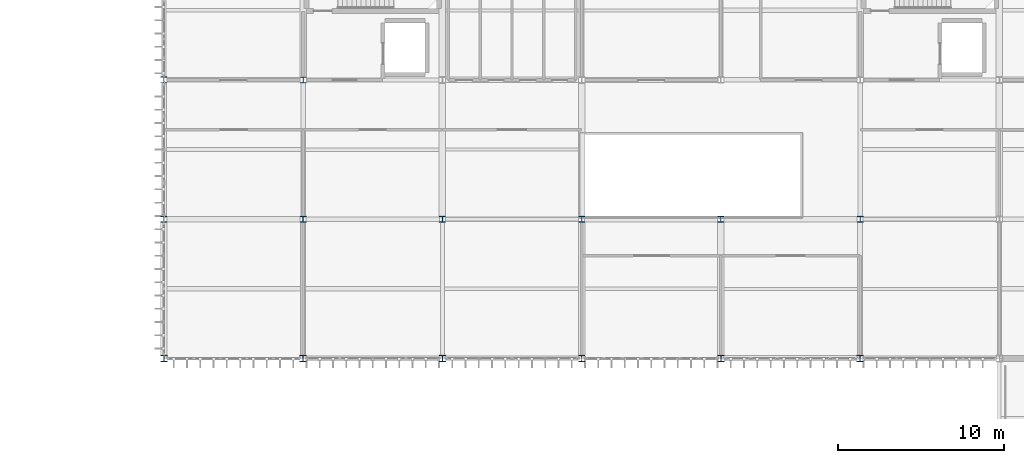
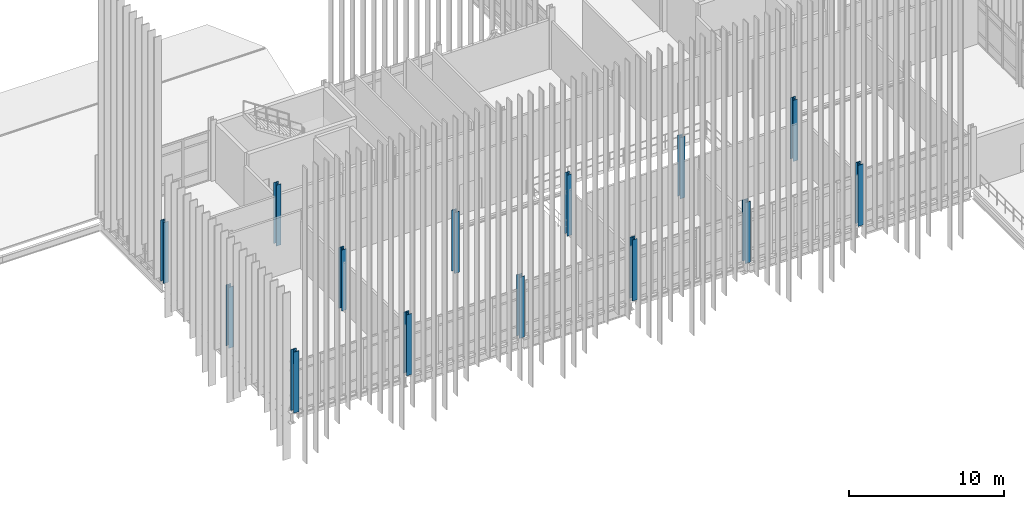
# One storey, part 1 of 153: 14 columns.
"""IFC4 building model written with IfcOpenShell, lengths in metres."""

from ifc_helpers import new_model, si_unit, direction, frame, origin, origin_2d, place, context, subcontext, project, spatial, i_section, extrude, material, material_profile, profile_set, type_object, element, save


model = new_model("IFC4")

# Units and contexts
model_context = context("Model", 3, precision=1e-05, world=origin(), true_north=direction((0.0, 1.0)))
body_context = subcontext(model_context, "Body", "Model", "MODEL_VIEW")
ifc_project = project(units=[si_unit("LENGTHUNIT", "METRE"), si_unit("AREAUNIT", "SQUARE_METRE"), si_unit("VOLUMEUNIT", "CUBIC_METRE"), si_unit("PLANEANGLEUNIT", "RADIAN"), si_unit("MASSUNIT", "GRAM", prefix="KILO")], contexts=[model_context])

# Site, building, storey
site_placement = place(None, origin())
site = spatial("IfcSite", under=ifc_project, at=site_placement, CompositionType="ELEMENT")
building_placement = place(site_placement, origin())
building = spatial("IfcBuilding", under=site, at=building_placement, Name="Calvrana Isthmian Art Gallery", CompositionType="ELEMENT")
storey_placement = place(building_placement, frame((0.0, 0.0, 10.199951171875)))
storey = spatial("IfcBuildingStorey", under=building, at=storey_placement, Name="L02", CompositionType="ELEMENT", Elevation=10.199951171875)

# Columns
ifc_material = material(Name="Steel ASTM A992 Gr 50", Category="steel")
ifc_material_profile_1 = material_profile(ifc_material, i_section(OverallWidth=0.37109375, OverallDepth=0.363037109375, WebThickness=0.01318359375, FlangeThickness=0.021728515625, FilletRadius=0.02490234375, at=origin_2d()), Name="W14X109")
ifc_profile_set_1 = profile_set([ifc_material_profile_1], Name="Steel ASTM A992 Gr 50")
column_type_1 = type_object("IfcColumnType", Name="COL-STL-W14X109", PredefinedType="COLUMN", material=ifc_profile_set_1)
for number, where, z_axis, x_axis, name in (
    (1, (21.60009765625, 38.39990234375, 0.0), (0.0, 0.0, 1.0), (1.0, 0.0, 0.0), "Column 04/F L02"),
    (2, (46.800048828125, 30.0, 0.0), (0.0, 0.0, 1.0), (1.0, 0.0, 0.0), "Column 07/E L02"),
):
    element("IfcColumn", number, at=place(storey_placement, frame(where, z_axis=z_axis, x_axis=x_axis)), inside=storey, type_object=column_type_1, Name=name, PredefinedType="COLUMN", context=body_context, shape_type="SweptSolid", body=[
        extrude(i_section(OverallWidth=0.37109375, OverallDepth=0.363037109375, WebThickness=0.01318359375, FlangeThickness=0.021728515625, FilletRadius=0.02490234375, at=origin_2d()), origin(), (0.0, 0.0, 1.0), 4.800048828125),
    ])
ifc_material_profile_2 = material_profile(ifc_material, i_section(OverallWidth=0.373046875, OverallDepth=0.367919921875, WebThickness=0.014892578125, FlangeThickness=0.02392578125, FilletRadius=0.02490234375, at=origin_2d()), Name="W14X120")
ifc_profile_set_2 = profile_set([ifc_material_profile_2], Name="Steel ASTM A992 Gr 50")
column_type_2 = type_object("IfcColumnType", Name="COL-STL-W14X120", PredefinedType="COLUMN", material=ifc_profile_set_2)
column_1_placement = place(storey_placement, frame((38.39990234375, 30.0, 0.0), z_axis=(0.0, 0.0, 1.0), x_axis=(1.0, 0.0, 0.0)))
element("IfcColumn", 3, at=column_1_placement, inside=storey, type_object=column_type_2, Name="Column 06/E L02", PredefinedType="COLUMN", context=body_context, shape_type="SweptSolid", body=[
    extrude(i_section(OverallWidth=0.373046875, OverallDepth=0.367919921875, WebThickness=0.014892578125, FlangeThickness=0.02392578125, FilletRadius=0.02490234375, at=origin_2d()), origin(), (0.0, 0.0, 1.0), 4.800048828125),
])
ifc_material_profile_3 = material_profile(ifc_material, i_section(OverallWidth=0.373046875, OverallDepth=0.373046875, WebThickness=0.016357421875, FlangeThickness=0.026123046875, FilletRadius=0.02490234375, at=origin_2d()), Name="W14X132")
ifc_profile_set_3 = profile_set([ifc_material_profile_3], Name="Steel ASTM A992 Gr 50")
column_type_3 = type_object("IfcColumnType", Name="COL-STL-W14X132", PredefinedType="COLUMN", material=ifc_profile_set_3)
for number, where, z_axis, x_axis, name in (
    (4, (30.0, 30.0, 0.0), (0.0, 0.0, 1.0), (1.0, 0.0, 0.0), "Column 05/E L02"),
    (5, (46.800048828125, 21.60009765625, 0.0), (0.0, 0.0, 1.0), (1.0, 0.0, 0.0), "Column 07/D L02"),
    (6, (63.60009765625, 30.0, 0.0), (0.0, 0.0, 1.0), (1.0, 0.0, 0.0), "Column 09/E L02"),
):
    element("IfcColumn", number, at=place(storey_placement, frame(where, z_axis=z_axis, x_axis=x_axis)), inside=storey, type_object=column_type_3, Name=name, PredefinedType="COLUMN", context=body_context, shape_type="SweptSolid", body=[
        extrude(i_section(OverallWidth=0.373046875, OverallDepth=0.373046875, WebThickness=0.016357421875, FlangeThickness=0.026123046875, FilletRadius=0.02490234375, at=origin_2d()), origin(), (0.0, 0.0, 1.0), 4.800048828125),
    ])
ifc_material_profile_4 = material_profile(ifc_material, i_section(OverallWidth=0.39404296875, OverallDepth=0.3759765625, WebThickness=0.017333984375, FlangeThickness=0.027587890625, FilletRadius=0.02490234375, at=origin_2d()), Name="W14X145")
ifc_profile_set_4 = profile_set([ifc_material_profile_4], Name="Steel ASTM A992 Gr 50")
column_type_4 = type_object("IfcColumnType", Name="COL-STL-W14X145", PredefinedType="COLUMN", material=ifc_profile_set_4)
column_2_placement = place(storey_placement, frame((38.39990234375, 21.60009765625, 0.0), z_axis=(0.0, 0.0, 1.0), x_axis=(1.0, 0.0, 0.0)))
element("IfcColumn", 7, at=column_2_placement, inside=storey, type_object=column_type_4, Name="Column 06/D L02", PredefinedType="COLUMN", context=body_context, shape_type="SweptSolid", body=[
    extrude(i_section(OverallWidth=0.39404296875, OverallDepth=0.3759765625, WebThickness=0.017333984375, FlangeThickness=0.027587890625, FilletRadius=0.02490234375, at=origin_2d()), origin(), (0.0, 0.0, 1.0), 4.800048828125),
])
ifc_material_profile_5 = material_profile(ifc_material, i_section(OverallWidth=0.39599609375, OverallDepth=0.381103515625, WebThickness=0.018798828125, FlangeThickness=0.0302734375, FilletRadius=0.02490234375, at=origin_2d()), Name="W14X159")
ifc_profile_set_5 = profile_set([ifc_material_profile_5], Name="Steel ASTM A992 Gr 50")
column_type_5 = type_object("IfcColumnType", Name="COL-STL-W14X159", PredefinedType="COLUMN", material=ifc_profile_set_5)
for number, where, z_axis, x_axis, name in (
    (8, (30.0, 21.60009765625, 0.0), (0.0, 0.0, 1.0), (1.0, 0.0, 0.0), "Column 05/D L02"),
    (9, (63.60009765625, 21.60009765625, 0.0), (0.0, 0.0, 1.0), (1.0, 0.0, 0.0), "Column 09/D L02"),
):
    element("IfcColumn", number, at=place(storey_placement, frame(where, z_axis=z_axis, x_axis=x_axis)), inside=storey, type_object=column_type_5, Name=name, PredefinedType="COLUMN", context=body_context, shape_type="SweptSolid", body=[
        extrude(i_section(OverallWidth=0.39599609375, OverallDepth=0.381103515625, WebThickness=0.018798828125, FlangeThickness=0.0302734375, FilletRadius=0.02490234375, at=origin_2d()), origin(), (0.0, 0.0, 1.0), 4.800048828125),
    ])
ifc_material_profile_6 = material_profile(ifc_material, i_section(OverallWidth=0.39892578125, OverallDepth=0.385986328125, WebThickness=0.02099609375, FlangeThickness=0.033203125, FilletRadius=0.02490234375, at=origin_2d()), Name="W14X176")
ifc_profile_set_6 = profile_set([ifc_material_profile_6], Name="Steel ASTM A992 Gr 50")
column_type_6 = type_object("IfcColumnType", Name="COL-STL-W14X176", PredefinedType="COLUMN", material=ifc_profile_set_6)
for number, where, z_axis, x_axis, name in (
    (10, (21.60009765625, 21.60009765625, 0.0), (0.0, 0.0, 1.0), (1.0, 0.0, 0.0), "Column 04/D L02"),
    (11, (55.199951171875, 21.60009765625, 0.0), (0.0, 0.0, 1.0), (1.0, 0.0, 0.0), "Column 08/D L02"),
):
    element("IfcColumn", number, at=place(storey_placement, frame(where, z_axis=z_axis, x_axis=x_axis)), inside=storey, type_object=column_type_6, Name=name, PredefinedType="COLUMN", context=body_context, shape_type="SweptSolid", body=[
        extrude(i_section(OverallWidth=0.39892578125, OverallDepth=0.385986328125, WebThickness=0.02099609375, FlangeThickness=0.033203125, FilletRadius=0.02490234375, at=origin_2d()), origin(), (0.0, 0.0, 1.0), 4.800048828125),
    ])
ifc_material_profile_7 = material_profile(ifc_material, i_section(OverallWidth=0.367919921875, OverallDepth=0.35595703125, WebThickness=0.01123046875, FlangeThickness=0.01806640625, FilletRadius=0.02490234375, at=origin_2d()), Name="W14X90")
ifc_profile_set_7 = profile_set([ifc_material_profile_7], Name="Steel ASTM A992 Gr 50")
column_type_7 = type_object("IfcColumnType", Name="COL-STL-W14X90", PredefinedType="COLUMN", material=ifc_profile_set_7)
for number, where, z_axis, x_axis, name in (
    (12, (21.60009765625, 30.0, 0.0), (0.0, 0.0, 1.0), (1.0, 0.0, 0.0), "Column 04/E L02"),
    (13, (30.0, 38.39990234375, 0.0), (0.0, 0.0, 1.0), (1.0, 0.0, 0.0), "Column 05/F L02"),
    (14, (55.199951171875, 30.0, 0.0), (0.0, 0.0, 1.0), (1.0, 0.0, 0.0), "Column 08/E L02"),
):
    element("IfcColumn", number, at=place(storey_placement, frame(where, z_axis=z_axis, x_axis=x_axis)), inside=storey, type_object=column_type_7, Name=name, PredefinedType="COLUMN", context=body_context, shape_type="SweptSolid", body=[
        extrude(i_section(OverallWidth=0.367919921875, OverallDepth=0.35595703125, WebThickness=0.01123046875, FlangeThickness=0.01806640625, FilletRadius=0.02490234375, at=origin_2d()), origin(), (0.0, 0.0, 1.0), 4.800048828125),
    ])

save(model, "model.ifc")
